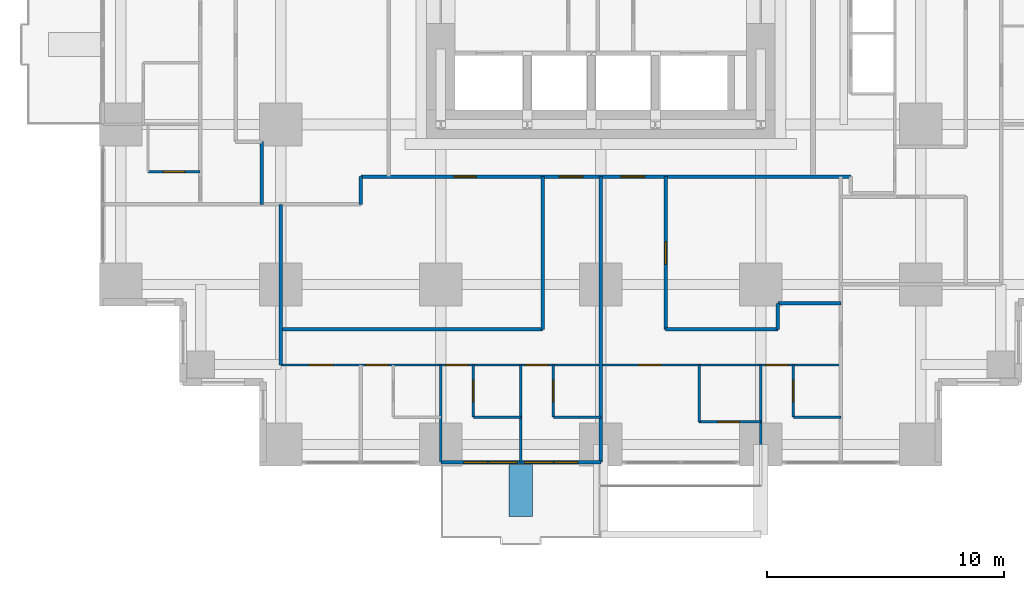
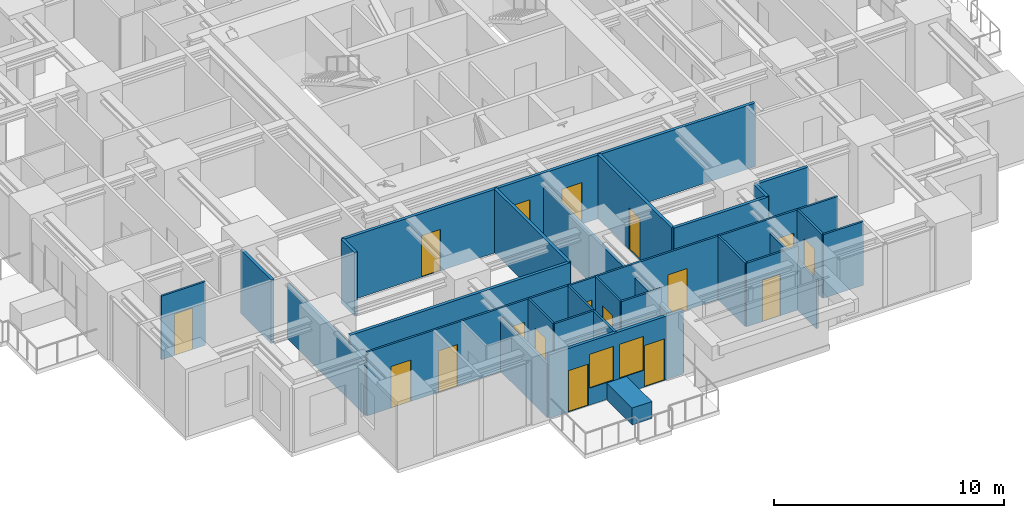
# One storey, part 7 of 13: 26 walls, 17 doors, 2 windows, 19 openings.
"""IFC4 building model written with IfcOpenShell, lengths in metres."""

from ifc_helpers import new_model, si_unit, direction, frame, frame_2d, origin, place, context, subcontext, project, spatial, rectangle, extrude, material, layer, layer_set, type_object, element, fill, save


model = new_model("IFC4")

# Units and contexts
model_context = context("Model", 3, precision=1e-05, world=origin(), true_north=direction((0.0, 1.0)))
body_context = subcontext(model_context, "Body", "Model", "MODEL_VIEW")
ifc_project = project(units=[si_unit("LENGTHUNIT", "METRE"), si_unit("AREAUNIT", "SQUARE_METRE"), si_unit("VOLUMEUNIT", "CUBIC_METRE"), si_unit("PLANEANGLEUNIT", "RADIAN"), si_unit("MASSUNIT", "GRAM", prefix="KILO")], contexts=[model_context])

# Site, building, storey
site_placement = place(None, origin())
site = spatial("IfcSite", under=ifc_project, at=site_placement, CompositionType="ELEMENT")
building_placement = place(site_placement, origin())
building = spatial("IfcBuilding", under=site, at=building_placement, Name="Nyansa Garden Tower", CompositionType="ELEMENT")
storey_placement = place(building_placement, frame((0.0, 0.0, 87.300048828125)))
storey = spatial("IfcBuildingStorey", under=building, at=storey_placement, Name="L23", CompositionType="ELEMENT", Elevation=87.300048828125)

# Wall, openings, doors, windows
ifc_material_1 = material(Name="Black aluminium framed glazed screen", Category="aluminium")
ifc_layer_1 = layer(ifc_material_1, 0.14990234375)
ifc_layer_set_1 = layer_set([ifc_layer_1], Name="Balcony screen wall BW150")
wall_type_1 = type_object("IfcWallType", Name="Balcony screen wall BW150", PredefinedType="SOLIDWALL", material=ifc_layer_set_1)
wall_1_placement = place(storey_placement, frame((20.25, -0.75, 0.0), z_axis=(0.0, 0.0, 1.0), x_axis=(-1.0, 0.0, 0.0)))
wall_1 = element("IfcWall", 1, at=wall_1_placement, inside=storey, type_object=wall_type_1, Name="Glazed screen wall L23 S", PredefinedType="SOLIDWALL", context=body_context, shape_type="SweptSolid", body=[
    extrude(rectangle(XDim=6.75, YDim=0.14990234375, at=frame_2d((3.375, 0.0))), origin(), (0.0, 0.0, 1.0), 3.375),
])
opening_1_placement = place(wall_1_placement, frame((0.96240234375, 0.0, 0.0)))
opening_1 = element("IfcOpeningElement", 2, at=opening_1_placement, cuts=wall_1, Name="Opening D20", PredefinedType="OPENING", context=body_context, shape_type="SweptSolid", body=[
    extrude(rectangle(XDim=1.0, YDim=2.199951171875, at=frame_2d((0.5, 1.10009765625))), frame((0.0, 0.0849609375, 0.0), z_axis=(0.0, -1.0, 0.0), x_axis=(1.0, 0.0, 0.0)), (0.0, 0.0, 1.0), 0.169921875),
])
opening_2_placement = place(wall_1_placement, frame((2.02490234375, 0.0, 0.89990234375)))
opening_2 = element("IfcOpeningElement", 3, at=opening_2_placement, cuts=wall_1, Name="Opening W6", PredefinedType="OPENING", context=body_context, shape_type="SweptSolid", body=[
    extrude(rectangle(XDim=1.199951171875, YDim=1.800048828125, at=frame_2d((0.60009765625, 0.89990234375))), frame((0.0, 0.0849609375, 0.0), z_axis=(0.0, -1.0, 0.0), x_axis=(1.0, 0.0, 0.0)), (0.0, 0.0, 1.0), 0.169921875),
])
opening_3_placement = place(wall_1_placement, frame((4.78759765625, 0.0, 0.0)))
opening_3 = element("IfcOpeningElement", 4, at=opening_3_placement, cuts=wall_1, Name="Opening D20", PredefinedType="OPENING", context=body_context, shape_type="SweptSolid", body=[
    extrude(rectangle(XDim=1.0, YDim=2.199951171875, at=frame_2d((0.5, 1.10009765625))), frame((0.0, 0.0849609375, 0.0), z_axis=(0.0, -1.0, 0.0), x_axis=(1.0, 0.0, 0.0)), (0.0, 0.0, 1.0), 0.169921875),
])
opening_4_placement = place(wall_1_placement, frame((3.52490234375, 0.0, 0.89990234375)))
opening_4 = element("IfcOpeningElement", 5, at=opening_4_placement, cuts=wall_1, Name="Opening W6", PredefinedType="OPENING", context=body_context, shape_type="SweptSolid", body=[
    extrude(rectangle(XDim=1.199951171875, YDim=1.800048828125, at=frame_2d((0.60009765625, 0.89990234375))), frame((0.0, 0.0849609375, 0.0), z_axis=(0.0, -1.0, 0.0), x_axis=(1.0, 0.0, 0.0)), (0.0, 0.0, 1.0), 0.169921875),
])
ifc_material_2 = material(Name="Black aluminium framed glazed door", Category="aluminium")
door_type_1 = type_object("IfcDoorType", Name="Balcony door D20 1000x2200", OperationType="NOTDEFINED", PredefinedType="DOOR", material=ifc_material_2)
door_1_placement = place(opening_1_placement, origin())
door_1 = element("IfcDoor", 6, at=door_1_placement, inside=storey, type_object=door_type_1, Name="Balcony door L23", OperationType="SINGLE_SWING_LEFT", OverallHeight=2.199951171875, OverallWidth=1.0, PredefinedType="DOOR", context=body_context, shape_type="SweptSolid", body=[
    extrude(rectangle(XDim=1.0, YDim=2.199951171875, at=frame_2d((0.5, 1.10009765625))), frame((0.0, 0.02490234375, 0.0), z_axis=(0.0, -1.0, 0.0), x_axis=(1.0, 0.0, 0.0)), (0.0, 0.0, 1.0), 0.050048828125),
])
fill(opening_1, door_1)
door_2_placement = place(opening_3_placement, origin())
door_2 = element("IfcDoor", 7, at=door_2_placement, inside=storey, type_object=door_type_1, Name="Balcony door L23", OperationType="SINGLE_SWING_RIGHT", OverallHeight=2.199951171875, OverallWidth=1.0, PredefinedType="DOOR", context=body_context, shape_type="SweptSolid", body=[
    extrude(rectangle(XDim=1.0, YDim=2.199951171875, at=frame_2d((0.5, 1.10009765625))), frame((0.0, 0.02490234375, 0.0), z_axis=(0.0, -1.0, 0.0), x_axis=(1.0, 0.0, 0.0)), (0.0, 0.0, 1.0), 0.050048828125),
])
fill(opening_3, door_2)
ifc_material_3 = material(Name="Black aluminium frame, dark tinted double glazing", Category="aluminium")
window_type = type_object("IfcWindowType", Name="Balcony window W6 1200x1800", PartitioningType="SINGLE_PANEL", PredefinedType="WINDOW", material=ifc_material_3)
window_1_placement = place(opening_2_placement, origin())
window_1 = element("IfcWindow", 8, at=window_1_placement, inside=storey, type_object=window_type, Name="Window L23", OverallHeight=1.800048828125, OverallWidth=1.199951171875, PartitioningType="SINGLE_PANEL", PredefinedType="WINDOW", context=body_context, shape_type="SweptSolid", body=[
    extrude(rectangle(XDim=1.199951171875, YDim=1.800048828125, at=frame_2d((0.60009765625, 0.89990234375))), frame((0.0, 0.030029296875, 0.0), z_axis=(0.0, -1.0, 0.0), x_axis=(1.0, 0.0, 0.0)), (0.0, 0.0, 1.0), 0.06005859375),
])
fill(opening_2, window_1)
window_2_placement = place(opening_4_placement, origin())
window_2 = element("IfcWindow", 9, at=window_2_placement, inside=storey, type_object=window_type, Name="Window L23", OverallHeight=1.800048828125, OverallWidth=1.199951171875, PartitioningType="SINGLE_PANEL", PredefinedType="WINDOW", context=body_context, shape_type="SweptSolid", body=[
    extrude(rectangle(XDim=1.199951171875, YDim=1.800048828125, at=frame_2d((0.60009765625, 0.89990234375))), frame((0.0, 0.030029296875, 0.0), z_axis=(0.0, -1.0, 0.0), x_axis=(1.0, 0.0, 0.0)), (0.0, 0.0, 1.0), 0.06005859375),
])
fill(opening_4, window_2)

# Walls
ifc_material_4 = material(Name="Blockwork, plastered both sides", Category="masonry")
ifc_layer_2 = layer(ifc_material_4, 0.14990234375)
ifc_layer_set_2 = layer_set([ifc_layer_2], Name="Partition PW150")
wall_type_2 = type_object("IfcWallType", Name="Partition PW150", PredefinedType="PARTITIONING", material=ifc_layer_set_2)
wall_2_placement = place(storey_placement, frame((5.949951171875, 10.125, 0.0), z_axis=(0.0, 0.0, 1.0), x_axis=(0.0, 1.0, 0.0)))
element("IfcWall", 10, at=wall_2_placement, inside=storey, type_object=wall_type_2, Name="Partition", PredefinedType="PARTITIONING", context=body_context, shape_type="SweptSolid", body=[
    extrude(rectangle(XDim=2.64990234375, YDim=0.14990234375, at=frame_2d((1.324951171875, 0.0))), origin(), (0.0, 0.0, 1.0), 3.375),
])
wall_3_placement = place(storey_placement, frame((6.75, 3.35009765625, 0.0), z_axis=(0.0, 0.0, 1.0), x_axis=(0.0, 1.0, 0.0)))
element("IfcWall", 11, at=wall_3_placement, inside=storey, type_object=wall_type_2, Name="Partition", PredefinedType="PARTITIONING", context=body_context, shape_type="SweptSolid", body=[
    extrude(rectangle(XDim=6.77490234375, YDim=0.14990234375, at=frame_2d((3.387451171875, 0.0))), origin(), (0.0, 0.0, 1.0), 2.876953125),
])
wall_4_placement = place(storey_placement, frame((6.75, 4.85009765625, 0.0), z_axis=(0.0, 0.0, 1.0), x_axis=(1.0, 0.0, 0.0)))
element("IfcWall", 12, at=wall_4_placement, inside=storey, type_object=wall_type_2, Name="Partition", PredefinedType="PARTITIONING", context=body_context, shape_type="SweptSolid", body=[
    extrude(rectangle(XDim=11.050048828125, YDim=0.14990234375, at=frame_2d((5.52490234375, 0.0))), origin(), (0.0, 0.0, 1.0), 3.375),
])
wall_5_placement = place(storey_placement, frame((10.125, 10.125, 0.0), z_axis=(0.0, 0.0, 1.0), x_axis=(0.0, 1.0, 0.0)))
element("IfcWall", 13, at=wall_5_placement, inside=storey, type_object=wall_type_2, Name="Partition", PredefinedType="PARTITIONING", context=body_context, shape_type="SweptSolid", body=[
    extrude(rectangle(XDim=1.175048828125, YDim=0.14990234375, at=frame_2d((0.58740234375, 0.0))), origin(), (0.0, 0.0, 1.0), 3.375),
])

# Wall, openings, doors
wall_6_placement = place(storey_placement, frame((10.125, 11.300048828125, 0.0), z_axis=(0.0, 0.0, 1.0), x_axis=(1.0, 0.0, 0.0)))
wall_6 = element("IfcWall", 14, at=wall_6_placement, inside=storey, type_object=wall_type_2, Name="Partition", PredefinedType="PARTITIONING", context=body_context, shape_type="SweptSolid", body=[
    extrude(rectangle(XDim=20.675048828125, YDim=0.14990234375, at=frame_2d((10.33740234375, 0.0))), origin(), (0.0, 0.0, 1.0), 3.375),
])
opening_5_placement = place(wall_6_placement, frame((8.375, 0.0, 0.0)))
opening_5 = element("IfcOpeningElement", 15, at=opening_5_placement, cuts=wall_6, Name="Opening D03", PredefinedType="OPENING", context=body_context, shape_type="SweptSolid", body=[
    extrude(rectangle(XDim=1.0, YDim=2.199951171875, at=frame_2d((0.5, 1.10009765625))), frame((0.0, 0.0849609375, 0.0), z_axis=(0.0, -1.0, 0.0), x_axis=(1.0, 0.0, 0.0)), (0.0, 0.0, 1.0), 0.169921875),
])
opening_6_placement = place(wall_6_placement, frame((10.97509765625, 0.0, 0.0)))
opening_6 = element("IfcOpeningElement", 16, at=opening_6_placement, cuts=wall_6, Name="Opening D03", PredefinedType="OPENING", context=body_context, shape_type="SweptSolid", body=[
    extrude(rectangle(XDim=1.0, YDim=2.199951171875, at=frame_2d((0.5, 1.10009765625))), frame((0.0, 0.0849609375, 0.0), z_axis=(0.0, -1.0, 0.0), x_axis=(1.0, 0.0, 0.0)), (0.0, 0.0, 1.0), 0.169921875),
])
opening_7_placement = place(wall_6_placement, frame((3.925048828125, 0.0, 0.0)))
opening_7 = element("IfcOpeningElement", 17, at=opening_7_placement, cuts=wall_6, Name="Opening D01", PredefinedType="OPENING", context=body_context, shape_type="SweptSolid", body=[
    extrude(rectangle(XDim=0.949951171875, YDim=2.199951171875, at=frame_2d((0.47509765625, 1.10009765625))), frame((0.0, 0.0849609375, 0.0), z_axis=(0.0, -1.0, 0.0), x_axis=(1.0, 0.0, 0.0)), (0.0, 0.0, 1.0), 0.169921875),
])
ifc_material_5 = material(Name="Timber flush door, 30 minute fire resisting", Category="wood")
door_type_2 = type_object("IfcDoorType", Name="Bedroom door D01 950x2200", OperationType="SINGLE_SWING_LEFT", PredefinedType="DOOR", material=ifc_material_5)
door_3_placement = place(opening_7_placement, origin())
door_3 = element("IfcDoor", 18, at=door_3_placement, inside=storey, type_object=door_type_2, Name="Door L23-030", OperationType="SINGLE_SWING_LEFT", OverallHeight=2.199951171875, OverallWidth=0.949951171875, PredefinedType="DOOR", context=body_context, shape_type="SweptSolid", body=[
    extrude(rectangle(XDim=0.949951171875, YDim=2.199951171875, at=frame_2d((0.47509765625, 1.10009765625))), frame((0.0, 0.02490234375, 0.0), z_axis=(0.0, -1.0, 0.0), x_axis=(1.0, 0.0, 0.0)), (0.0, 0.0, 1.0), 0.050048828125),
])
fill(opening_7, door_3)
ifc_material_6 = material(Name="Timber flush door, 60 minute fire resisting", Category="wood")
door_type_3 = type_object("IfcDoorType", Name="Cluster entrance door D03 1000x2200", OperationType="SINGLE_SWING_LEFT", PredefinedType="DOOR", material=ifc_material_6)
door_4_placement = place(opening_5_placement, origin())
door_4 = element("IfcDoor", 19, at=door_4_placement, inside=storey, type_object=door_type_3, Name="Door L23-024", OperationType="SINGLE_SWING_LEFT", OverallHeight=2.199951171875, OverallWidth=1.0, PredefinedType="DOOR", context=body_context, shape_type="SweptSolid", body=[
    extrude(rectangle(XDim=1.0, YDim=2.199951171875, at=frame_2d((0.5, 1.10009765625))), frame((0.0, 0.02490234375, 0.0), z_axis=(0.0, -1.0, 0.0), x_axis=(1.0, 0.0, 0.0)), (0.0, 0.0, 1.0), 0.050048828125),
])
fill(opening_5, door_4)
door_5_placement = place(opening_6_placement, origin())
door_5 = element("IfcDoor", 20, at=door_5_placement, inside=storey, type_object=door_type_3, Name="Door L23-029", OperationType="SINGLE_SWING_LEFT", OverallHeight=2.199951171875, OverallWidth=1.0, PredefinedType="DOOR", context=body_context, shape_type="SweptSolid", body=[
    extrude(rectangle(XDim=1.0, YDim=2.199951171875, at=frame_2d((0.5, 1.10009765625))), frame((0.0, 0.02490234375, 0.0), z_axis=(0.0, -1.0, 0.0), x_axis=(1.0, 0.0, 0.0)), (0.0, 0.0, 1.0), 0.050048828125),
])
fill(opening_6, door_5)

# Walls
wall_7_placement = place(storey_placement, frame((17.800048828125, 4.85009765625, 0.0), z_axis=(0.0, 0.0, 1.0), x_axis=(0.0, 1.0, 0.0)))
element("IfcWall", 21, at=wall_7_placement, inside=storey, type_object=wall_type_2, Name="Partition", PredefinedType="PARTITIONING", context=body_context, shape_type="SweptSolid", body=[
    extrude(rectangle(XDim=6.449951171875, YDim=0.14990234375, at=frame_2d((3.22509765625, 0.0))), origin(), (0.0, 0.0, 1.0), 3.375),
])
wall_8_placement = place(storey_placement, frame((20.25, -0.73388671875, 0.0), z_axis=(0.0, 0.0, 1.0), x_axis=(0.0, 1.0, 0.0)))
element("IfcWall", 22, at=wall_8_placement, inside=storey, type_object=wall_type_2, Name="Partition", PredefinedType="PARTITIONING", context=body_context, shape_type="SweptSolid", body=[
    extrude(rectangle(XDim=12.033935546875, YDim=0.14990234375, at=frame_2d((6.01708984375, 0.0))), origin(), (0.0, 0.0, 1.0), 2.60986328125),
])
wall_9_placement = place(storey_placement, frame((22.987548828125, 4.85009765625, 0.0), z_axis=(0.0, 0.0, 1.0), x_axis=(1.0, 0.0, 0.0)))
element("IfcWall", 23, at=wall_9_placement, inside=storey, type_object=wall_type_2, Name="Partition", PredefinedType="PARTITIONING", context=body_context, shape_type="SweptSolid", body=[
    extrude(rectangle(XDim=4.737548828125, YDim=0.14990234375, at=frame_2d((2.36865234375, 0.0))), origin(), (0.0, 0.0, 1.0), 3.375),
])

# Wall, opening, door
wall_10_placement = place(storey_placement, frame((22.988037109375, 4.85009765625, 0.0), z_axis=(0.0, 0.0, 1.0), x_axis=(0.0, 1.0, 0.0)))
wall_10 = element("IfcWall", 24, at=wall_10_placement, inside=storey, type_object=wall_type_2, Name="Partition", PredefinedType="PARTITIONING", context=body_context, shape_type="SweptSolid", body=[
    extrude(rectangle(XDim=6.449951171875, YDim=0.14990234375, at=frame_2d((3.22509765625, 0.0))), origin(), (0.0, 0.0, 1.0), 3.375),
])
opening_8_placement = place(wall_10_placement, frame((2.75, 0.0, 0.0)))
opening_8 = element("IfcOpeningElement", 25, at=opening_8_placement, cuts=wall_10, Name="Opening D01", PredefinedType="OPENING", context=body_context, shape_type="SweptSolid", body=[
    extrude(rectangle(XDim=0.949951171875, YDim=2.199951171875, at=frame_2d((0.47509765625, 1.10009765625))), frame((0.0, 0.0849609375, 0.0), z_axis=(0.0, -1.0, 0.0), x_axis=(1.0, 0.0, 0.0)), (0.0, 0.0, 1.0), 0.169921875),
])
door_6_placement = place(opening_8_placement, origin())
door_6 = element("IfcDoor", 26, at=door_6_placement, inside=storey, type_object=door_type_2, Name="Door L23-031", OperationType="SINGLE_SWING_LEFT", OverallHeight=2.199951171875, OverallWidth=0.949951171875, PredefinedType="DOOR", context=body_context, shape_type="SweptSolid", body=[
    extrude(rectangle(XDim=0.949951171875, YDim=2.199951171875, at=frame_2d((0.47509765625, 1.10009765625))), frame((0.0, 0.02490234375, 0.0), z_axis=(0.0, -1.0, 0.0), x_axis=(1.0, 0.0, 0.0)), (0.0, 0.0, 1.0), 0.050048828125),
])
fill(opening_8, door_6)

# Walls
wall_11_placement = place(storey_placement, frame((27.72509765625, 4.85009765625, 0.0), z_axis=(0.0, 0.0, 1.0), x_axis=(0.0, 1.0, 0.0)))
element("IfcWall", 27, at=wall_11_placement, inside=storey, type_object=wall_type_2, Name="Partition", PredefinedType="PARTITIONING", context=body_context, shape_type="SweptSolid", body=[
    extrude(rectangle(XDim=1.099853515625, YDim=0.14990234375, at=frame_2d((0.5498046875, 0.0))), origin(), (0.0, 0.0, 1.0), 3.375),
])
wall_12_placement = place(storey_placement, frame((27.72509765625, 5.949951171875, 0.0), z_axis=(0.0, 0.0, 1.0), x_axis=(1.0, 0.0, 0.0)))
element("IfcWall", 28, at=wall_12_placement, inside=storey, type_object=wall_type_2, Name="Partition", PredefinedType="PARTITIONING", context=body_context, shape_type="SweptSolid", body=[
    extrude(rectangle(XDim=2.64990234375, YDim=0.14990234375, at=frame_2d((1.324951171875, 0.0))), origin(), (0.0, 0.0, 1.0), 3.375),
])
ifc_material_7 = material(Name="Concrete C40/50 planter, waterproofed", Category="concrete")
ifc_layer_3 = layer(ifc_material_7, 1.0)
ifc_layer_set_3 = layer_set([ifc_layer_3], Name="Tree planter TP1")
wall_type_3 = type_object("IfcWallType", Name="Tree planter TP1", PredefinedType="USERDEFINED", material=ifc_layer_set_3)
wall_13_placement = place(storey_placement, frame((16.875, -0.85009765625, 0.0), z_axis=(0.0, 0.0, 1.0), x_axis=(0.0, -1.0, 0.0)))
element("IfcWall", 29, at=wall_13_placement, inside=storey, type_object=wall_type_3, Name="Tree planter L23", ObjectType="TREE PLANTER", PredefinedType="USERDEFINED", context=body_context, shape_type="SweptSolid", body=[
    extrude(rectangle(XDim=2.199951171875, YDim=1.0, at=frame_2d((1.10009765625, 0.0))), origin(), (0.0, 0.0, 1.0), 0.89990234375),
])

# Wall, opening, door
ifc_material_8 = material(Name="Moisture resistant board on steel studs, tiled", Category="steel")
ifc_layer_4 = layer(ifc_material_8, 0.10009765625)
ifc_layer_set_4 = layer_set([ifc_layer_4], Name="Wet wall PW100")
wall_type_4 = type_object("IfcWallType", Name="Wet wall PW100", PredefinedType="PARTITIONING", material=ifc_layer_set_4)
wall_14_placement = place(storey_placement, frame((1.14990234375, 11.5, 0.0), z_axis=(0.0, 0.0, 1.0), x_axis=(1.0, 0.0, 0.0)))
wall_14 = element("IfcWall", 30, at=wall_14_placement, inside=storey, type_object=wall_type_4, Name="Wet wall", PredefinedType="PARTITIONING", context=body_context, shape_type="SweptSolid", body=[
    extrude(rectangle(XDim=2.2001953125, YDim=0.10009765625, at=frame_2d((1.10009765625, 0.0))), origin(), (0.0, 0.0, 1.0), 3.375),
])
opening_9_placement = place(wall_14_placement, frame((0.64990234375, 0.0, 0.0)))
opening_9 = element("IfcOpeningElement", 31, at=opening_9_placement, cuts=wall_14, Name="Opening D02", PredefinedType="OPENING", context=body_context, shape_type="SweptSolid", body=[
    extrude(rectangle(XDim=0.89990234375, YDim=2.199951171875, at=frame_2d((0.449951171875, 1.10009765625))), frame((0.0, 0.06005859375, 0.0), z_axis=(0.0, -1.0, 0.0), x_axis=(1.0, 0.0, 0.0)), (0.0, 0.0, 1.0), 0.1201171875),
])
ifc_material_9 = material(Name="Timber flush door", Category="wood")
door_type_4 = type_object("IfcDoorType", Name="En-suite door D02 900x2200", OperationType="SINGLE_SWING_RIGHT", PredefinedType="DOOR", material=ifc_material_9)
door_7_placement = place(opening_9_placement, origin())
door_7 = element("IfcDoor", 32, at=door_7_placement, inside=storey, type_object=door_type_4, Name="Door L23-058", OperationType="SINGLE_SWING_RIGHT", OverallHeight=2.199951171875, OverallWidth=0.89990234375, PredefinedType="DOOR", context=body_context, shape_type="SweptSolid", body=[
    extrude(rectangle(XDim=0.89990234375, YDim=2.199951171875, at=frame_2d((0.449951171875, 1.10009765625))), frame((0.0, 0.02490234375, 0.0), z_axis=(0.0, -1.0, 0.0), x_axis=(1.0, 0.0, 0.0)), (0.0, 0.0, 1.0), 0.050048828125),
])
fill(opening_9, door_7)

# Wall, openings, doors
wall_15_placement = place(storey_placement, frame((6.75, 3.35009765625, 0.0), z_axis=(0.0, 0.0, 1.0), x_axis=(1.0, 0.0, 0.0)))
wall_15 = element("IfcWall", 33, at=wall_15_placement, inside=storey, type_object=wall_type_4, Name="Wet wall", PredefinedType="PARTITIONING", context=body_context, shape_type="SweptSolid", body=[
    extrude(rectangle(XDim=23.625, YDim=0.10009765625, at=frame_2d((11.8125, 0.0))), origin(), (0.0, 0.0, 1.0), 3.375),
])
opening_10_placement = place(wall_15_placement, frame((1.199951171875, 0.0, 0.0)))
opening_10 = element("IfcOpeningElement", 34, at=opening_10_placement, cuts=wall_15, Name="Opening D03", PredefinedType="OPENING", context=body_context, shape_type="SweptSolid", body=[
    extrude(rectangle(XDim=1.0, YDim=2.199951171875, at=frame_2d((0.5, 1.10009765625))), frame((0.0, 0.06005859375, 0.0), z_axis=(0.0, -1.0, 0.0), x_axis=(1.0, 0.0, 0.0)), (0.0, 0.0, 1.0), 0.1201171875),
])
opening_11_placement = place(wall_15_placement, frame((3.574951171875, 0.0, 0.0)))
opening_11 = element("IfcOpeningElement", 35, at=opening_11_placement, cuts=wall_15, Name="Opening D01", PredefinedType="OPENING", context=body_context, shape_type="SweptSolid", body=[
    extrude(rectangle(XDim=0.949951171875, YDim=2.199951171875, at=frame_2d((0.47509765625, 1.10009765625))), frame((0.0, 0.06005859375, 0.0), z_axis=(0.0, -1.0, 0.0), x_axis=(1.0, 0.0, 0.0)), (0.0, 0.0, 1.0), 0.1201171875),
])
opening_12_placement = place(wall_15_placement, frame((6.949951171875, 0.0, 0.0)))
opening_12 = element("IfcOpeningElement", 36, at=opening_12_placement, cuts=wall_15, Name="Opening D01", PredefinedType="OPENING", context=body_context, shape_type="SweptSolid", body=[
    extrude(rectangle(XDim=0.949951171875, YDim=2.199951171875, at=frame_2d((0.47509765625, 1.10009765625))), frame((0.0, 0.06005859375, 0.0), z_axis=(0.0, -1.0, 0.0), x_axis=(1.0, 0.0, 0.0)), (0.0, 0.0, 1.0), 0.1201171875),
])
opening_13_placement = place(wall_15_placement, frame((10.324951171875, 0.0, 0.0)))
opening_13 = element("IfcOpeningElement", 37, at=opening_13_placement, cuts=wall_15, Name="Opening D01", PredefinedType="OPENING", context=body_context, shape_type="SweptSolid", body=[
    extrude(rectangle(XDim=0.949951171875, YDim=2.199951171875, at=frame_2d((0.47509765625, 1.10009765625))), frame((0.0, 0.06005859375, 0.0), z_axis=(0.0, -1.0, 0.0), x_axis=(1.0, 0.0, 0.0)), (0.0, 0.0, 1.0), 0.1201171875),
])
opening_14_placement = place(wall_15_placement, frame((15.10009765625, 0.0, 0.0)))
opening_14 = element("IfcOpeningElement", 38, at=opening_14_placement, cuts=wall_15, Name="Opening D14", PredefinedType="OPENING", context=body_context, shape_type="SweptSolid", body=[
    extrude(rectangle(XDim=0.949951171875, YDim=2.199951171875, at=frame_2d((0.47509765625, 1.10009765625))), frame((0.0, 0.06005859375, 0.0), z_axis=(0.0, -1.0, 0.0), x_axis=(1.0, 0.0, 0.0)), (0.0, 0.0, 1.0), 0.1201171875),
])
opening_15_placement = place(wall_15_placement, frame((20.449951171875, 0.0, 0.0)))
opening_15 = element("IfcOpeningElement", 39, at=opening_15_placement, cuts=wall_15, Name="Opening D14", PredefinedType="OPENING", context=body_context, shape_type="SweptSolid", body=[
    extrude(rectangle(XDim=0.949951171875, YDim=2.199951171875, at=frame_2d((0.47509765625, 1.10009765625))), frame((0.0, 0.06005859375, 0.0), z_axis=(0.0, -1.0, 0.0), x_axis=(1.0, 0.0, 0.0)), (0.0, 0.0, 1.0), 0.1201171875),
])
door_8_placement = place(opening_11_placement, origin())
door_8 = element("IfcDoor", 40, at=door_8_placement, inside=storey, type_object=door_type_2, Name="Door L23-018", OperationType="SINGLE_SWING_LEFT", OverallHeight=2.199951171875, OverallWidth=0.949951171875, PredefinedType="DOOR", context=body_context, shape_type="SweptSolid", body=[
    extrude(rectangle(XDim=0.949951171875, YDim=2.199951171875, at=frame_2d((0.47509765625, 1.10009765625))), frame((0.0, 0.02490234375, 0.0), z_axis=(0.0, -1.0, 0.0), x_axis=(1.0, 0.0, 0.0)), (0.0, 0.0, 1.0), 0.050048828125),
])
fill(opening_11, door_8)
door_9_placement = place(opening_12_placement, origin())
door_9 = element("IfcDoor", 41, at=door_9_placement, inside=storey, type_object=door_type_2, Name="Door L23-020", OperationType="SINGLE_SWING_LEFT", OverallHeight=2.199951171875, OverallWidth=0.949951171875, PredefinedType="DOOR", context=body_context, shape_type="SweptSolid", body=[
    extrude(rectangle(XDim=0.949951171875, YDim=2.199951171875, at=frame_2d((0.47509765625, 1.10009765625))), frame((0.0, 0.02490234375, 0.0), z_axis=(0.0, -1.0, 0.0), x_axis=(1.0, 0.0, 0.0)), (0.0, 0.0, 1.0), 0.050048828125),
])
fill(opening_12, door_9)
door_10_placement = place(opening_13_placement, origin())
door_10 = element("IfcDoor", 42, at=door_10_placement, inside=storey, type_object=door_type_2, Name="Door L23-022", OperationType="SINGLE_SWING_LEFT", OverallHeight=2.199951171875, OverallWidth=0.949951171875, PredefinedType="DOOR", context=body_context, shape_type="SweptSolid", body=[
    extrude(rectangle(XDim=0.949951171875, YDim=2.199951171875, at=frame_2d((0.47509765625, 1.10009765625))), frame((0.0, 0.02490234375, 0.0), z_axis=(0.0, -1.0, 0.0), x_axis=(1.0, 0.0, 0.0)), (0.0, 0.0, 1.0), 0.050048828125),
])
fill(opening_13, door_10)
door_11_placement = place(opening_10_placement, origin())
door_11 = element("IfcDoor", 43, at=door_11_placement, inside=storey, type_object=door_type_3, Name="Door L23-017", OperationType="SINGLE_SWING_LEFT", OverallHeight=2.199951171875, OverallWidth=1.0, PredefinedType="DOOR", context=body_context, shape_type="SweptSolid", body=[
    extrude(rectangle(XDim=1.0, YDim=2.199951171875, at=frame_2d((0.5, 1.10009765625))), frame((0.0, 0.02490234375, 0.0), z_axis=(0.0, -1.0, 0.0), x_axis=(1.0, 0.0, 0.0)), (0.0, 0.0, 1.0), 0.050048828125),
])
fill(opening_10, door_11)
ifc_material_10 = material(Name="Timber flush door, 60 minute fire resisting, self-closing", Category="wood")
door_type_5 = type_object("IfcDoorType", Name="Studio entrance door D14 950x2200", OperationType="SINGLE_SWING_LEFT", PredefinedType="DOOR", material=ifc_material_10)
door_12_placement = place(opening_14_placement, origin())
door_12 = element("IfcDoor", 44, at=door_12_placement, inside=storey, type_object=door_type_5, Name="Door L23-025", OperationType="SINGLE_SWING_LEFT", OverallHeight=2.199951171875, OverallWidth=0.949951171875, PredefinedType="DOOR", context=body_context, shape_type="SweptSolid", body=[
    extrude(rectangle(XDim=0.949951171875, YDim=2.199951171875, at=frame_2d((0.47509765625, 1.10009765625))), frame((0.0, 0.02490234375, 0.0), z_axis=(0.0, -1.0, 0.0), x_axis=(1.0, 0.0, 0.0)), (0.0, 0.0, 1.0), 0.050048828125),
])
fill(opening_14, door_12)
door_13_placement = place(opening_15_placement, origin())
door_13 = element("IfcDoor", 45, at=door_13_placement, inside=storey, type_object=door_type_5, Name="Door L23-027", OperationType="SINGLE_SWING_LEFT", OverallHeight=2.199951171875, OverallWidth=0.949951171875, PredefinedType="DOOR", context=body_context, shape_type="SweptSolid", body=[
    extrude(rectangle(XDim=0.949951171875, YDim=2.199951171875, at=frame_2d((0.47509765625, 1.10009765625))), frame((0.0, 0.02490234375, 0.0), z_axis=(0.0, -1.0, 0.0), x_axis=(1.0, 0.0, 0.0)), (0.0, 0.0, 1.0), 0.050048828125),
])
fill(opening_15, door_13)

# Wall
wall_16_placement = place(storey_placement, frame((13.5, -0.73388671875, 0.0), z_axis=(0.0, 0.0, 1.0), x_axis=(0.0, 1.0, 0.0)))
element("IfcWall", 46, at=wall_16_placement, inside=storey, type_object=wall_type_4, Name="Wet wall", PredefinedType="PARTITIONING", context=body_context, shape_type="SweptSolid", body=[
    extrude(rectangle(XDim=4.083984375, YDim=0.10009765625, at=frame_2d((2.0419921875, 0.0))), origin(), (0.0, 0.0, 1.0), 2.876953125),
])

# Wall, opening, door
wall_17_placement = place(storey_placement, frame((14.875, 1.14990234375, 0.0), z_axis=(0.0, 0.0, 1.0), x_axis=(0.0, 1.0, 0.0)))
wall_17 = element("IfcWall", 47, at=wall_17_placement, inside=storey, type_object=wall_type_4, Name="Wet wall", PredefinedType="PARTITIONING", context=body_context, shape_type="SweptSolid", body=[
    extrude(rectangle(XDim=2.2001953125, YDim=0.10009765625, at=frame_2d((1.10009765625, 0.0))), origin(), (0.0, 0.0, 1.0), 3.375),
])
opening_16_placement = place(wall_17_placement, frame((0.64990234375, 0.0, 0.0)))
opening_16 = element("IfcOpeningElement", 48, at=opening_16_placement, cuts=wall_17, Name="Opening D02", PredefinedType="OPENING", context=body_context, shape_type="SweptSolid", body=[
    extrude(rectangle(XDim=0.89990234375, YDim=2.199951171875, at=frame_2d((0.449951171875, 1.10009765625))), frame((0.0, 0.06005859375, 0.0), z_axis=(0.0, -1.0, 0.0), x_axis=(1.0, 0.0, 0.0)), (0.0, 0.0, 1.0), 0.1201171875),
])
door_14_placement = place(opening_16_placement, origin())
door_14 = element("IfcDoor", 49, at=door_14_placement, inside=storey, type_object=door_type_4, Name="Door L23-021", OperationType="SINGLE_SWING_RIGHT", OverallHeight=2.199951171875, OverallWidth=0.89990234375, PredefinedType="DOOR", context=body_context, shape_type="SweptSolid", body=[
    extrude(rectangle(XDim=0.89990234375, YDim=2.199951171875, at=frame_2d((0.449951171875, 1.10009765625))), frame((0.0, 0.02490234375, 0.0), z_axis=(0.0, -1.0, 0.0), x_axis=(1.0, 0.0, 0.0)), (0.0, 0.0, 1.0), 0.050048828125),
])
fill(opening_16, door_14)

# Walls
wall_18_placement = place(storey_placement, frame((14.875, 1.14990234375, 0.0), z_axis=(0.0, 0.0, 1.0), x_axis=(1.0, 0.0, 0.0)))
element("IfcWall", 50, at=wall_18_placement, inside=storey, type_object=wall_type_4, Name="Wet wall", PredefinedType="PARTITIONING", context=body_context, shape_type="SweptSolid", body=[
    extrude(rectangle(XDim=2.0, YDim=0.10009765625, at=frame_2d((1.0, 0.0))), origin(), (0.0, 0.0, 1.0), 3.375),
])
wall_19_placement = place(storey_placement, frame((16.875, -0.73388671875, 0.0), z_axis=(0.0, 0.0, 1.0), x_axis=(0.0, 1.0, 0.0)))
element("IfcWall", 51, at=wall_19_placement, inside=storey, type_object=wall_type_4, Name="Wet wall", PredefinedType="PARTITIONING", context=body_context, shape_type="SweptSolid", body=[
    extrude(rectangle(XDim=4.083984375, YDim=0.10009765625, at=frame_2d((2.0419921875, 0.0))), origin(), (0.0, 0.0, 1.0), 3.375),
])

# Wall, opening, door
wall_20_placement = place(storey_placement, frame((18.25, 1.14990234375, 0.0), z_axis=(0.0, 0.0, 1.0), x_axis=(0.0, 1.0, 0.0)))
wall_20 = element("IfcWall", 52, at=wall_20_placement, inside=storey, type_object=wall_type_4, Name="Wet wall", PredefinedType="PARTITIONING", context=body_context, shape_type="SweptSolid", body=[
    extrude(rectangle(XDim=2.2001953125, YDim=0.10009765625, at=frame_2d((1.10009765625, 0.0))), origin(), (0.0, 0.0, 1.0), 3.375),
])
opening_17_placement = place(wall_20_placement, frame((0.64990234375, 0.0, 0.0)))
opening_17 = element("IfcOpeningElement", 53, at=opening_17_placement, cuts=wall_20, Name="Opening D02", PredefinedType="OPENING", context=body_context, shape_type="SweptSolid", body=[
    extrude(rectangle(XDim=0.89990234375, YDim=2.199951171875, at=frame_2d((0.449951171875, 1.10009765625))), frame((0.0, 0.06005859375, 0.0), z_axis=(0.0, -1.0, 0.0), x_axis=(1.0, 0.0, 0.0)), (0.0, 0.0, 1.0), 0.1201171875),
])
door_15_placement = place(opening_17_placement, origin())
door_15 = element("IfcDoor", 54, at=door_15_placement, inside=storey, type_object=door_type_4, Name="Door L23-023", OperationType="SINGLE_SWING_RIGHT", OverallHeight=2.199951171875, OverallWidth=0.89990234375, PredefinedType="DOOR", context=body_context, shape_type="SweptSolid", body=[
    extrude(rectangle(XDim=0.89990234375, YDim=2.199951171875, at=frame_2d((0.449951171875, 1.10009765625))), frame((0.0, 0.02490234375, 0.0), z_axis=(0.0, -1.0, 0.0), x_axis=(1.0, 0.0, 0.0)), (0.0, 0.0, 1.0), 0.050048828125),
])
fill(opening_17, door_15)

# Walls
wall_21_placement = place(storey_placement, frame((18.25, 1.14990234375, 0.0), z_axis=(0.0, 0.0, 1.0), x_axis=(1.0, 0.0, 0.0)))
element("IfcWall", 55, at=wall_21_placement, inside=storey, type_object=wall_type_4, Name="Wet wall", PredefinedType="PARTITIONING", context=body_context, shape_type="SweptSolid", body=[
    extrude(rectangle(XDim=2.0, YDim=0.10009765625, at=frame_2d((1.0, 0.0))), origin(), (0.0, 0.0, 1.0), 3.375),
])
wall_22_placement = place(storey_placement, frame((24.39990234375, 0.949951171875, 0.0), z_axis=(0.0, 0.0, 1.0), x_axis=(0.0, 1.0, 0.0)))
element("IfcWall", 56, at=wall_22_placement, inside=storey, type_object=wall_type_4, Name="Wet wall", PredefinedType="PARTITIONING", context=body_context, shape_type="SweptSolid", body=[
    extrude(rectangle(XDim=2.400146484375, YDim=0.10009765625, at=frame_2d((1.2001953125, 0.0))), origin(), (0.0, 0.0, 1.0), 3.375),
])

# Wall, opening, door
wall_23_placement = place(storey_placement, frame((24.39990234375, 0.949951171875, 0.0), z_axis=(0.0, 0.0, 1.0), x_axis=(1.0, 0.0, 0.0)))
wall_23 = element("IfcWall", 57, at=wall_23_placement, inside=storey, type_object=wall_type_4, Name="Wet wall", PredefinedType="PARTITIONING", context=body_context, shape_type="SweptSolid", body=[
    extrude(rectangle(XDim=2.60009765625, YDim=0.10009765625, at=frame_2d((1.300048828125, 0.0))), origin(), (0.0, 0.0, 1.0), 3.375),
])
opening_18_placement = place(wall_23_placement, frame((0.800048828125, 0.0, 0.0)))
opening_18 = element("IfcOpeningElement", 58, at=opening_18_placement, cuts=wall_23, Name="Opening D02", PredefinedType="OPENING", context=body_context, shape_type="SweptSolid", body=[
    extrude(rectangle(XDim=0.89990234375, YDim=2.199951171875, at=frame_2d((0.449951171875, 1.10009765625))), frame((0.0, 0.06005859375, 0.0), z_axis=(0.0, -1.0, 0.0), x_axis=(1.0, 0.0, 0.0)), (0.0, 0.0, 1.0), 0.1201171875),
])
door_16_placement = place(opening_18_placement, origin())
door_16 = element("IfcDoor", 59, at=door_16_placement, inside=storey, type_object=door_type_4, Name="Door L23-026", OperationType="SINGLE_SWING_RIGHT", OverallHeight=2.199951171875, OverallWidth=0.89990234375, PredefinedType="DOOR", context=body_context, shape_type="SweptSolid", body=[
    extrude(rectangle(XDim=0.89990234375, YDim=2.199951171875, at=frame_2d((0.449951171875, 1.10009765625))), frame((0.0, 0.02490234375, 0.0), z_axis=(0.0, -1.0, 0.0), x_axis=(1.0, 0.0, 0.0)), (0.0, 0.0, 1.0), 0.050048828125),
])
fill(opening_18, door_16)

# Wall
wall_24_placement = place(storey_placement, frame((27.0, -0.73388671875, 0.0), z_axis=(0.0, 0.0, 1.0), x_axis=(0.0, 1.0, 0.0)))
element("IfcWall", 60, at=wall_24_placement, inside=storey, type_object=wall_type_4, Name="Wet wall", PredefinedType="PARTITIONING", context=body_context, shape_type="SweptSolid", body=[
    extrude(rectangle(XDim=4.083984375, YDim=0.10009765625, at=frame_2d((2.0419921875, 0.0))), origin(), (0.0, 0.0, 1.0), 2.60986328125),
])

# Wall, opening, door
wall_25_placement = place(storey_placement, frame((28.375, 1.14990234375, 0.0), z_axis=(0.0, 0.0, 1.0), x_axis=(0.0, 1.0, 0.0)))
wall_25 = element("IfcWall", 61, at=wall_25_placement, inside=storey, type_object=wall_type_4, Name="Wet wall", PredefinedType="PARTITIONING", context=body_context, shape_type="SweptSolid", body=[
    extrude(rectangle(XDim=2.2001953125, YDim=0.10009765625, at=frame_2d((1.10009765625, 0.0))), origin(), (0.0, 0.0, 1.0), 3.375),
])
opening_19_placement = place(wall_25_placement, frame((0.64990234375, 0.0, 0.0)))
opening_19 = element("IfcOpeningElement", 62, at=opening_19_placement, cuts=wall_25, Name="Opening D02", PredefinedType="OPENING", context=body_context, shape_type="SweptSolid", body=[
    extrude(rectangle(XDim=0.89990234375, YDim=2.199951171875, at=frame_2d((0.449951171875, 1.10009765625))), frame((0.0, 0.06005859375, 0.0), z_axis=(0.0, -1.0, 0.0), x_axis=(1.0, 0.0, 0.0)), (0.0, 0.0, 1.0), 0.1201171875),
])
door_17_placement = place(opening_19_placement, origin())
door_17 = element("IfcDoor", 63, at=door_17_placement, inside=storey, type_object=door_type_4, Name="Door L23-028", OperationType="SINGLE_SWING_RIGHT", OverallHeight=2.199951171875, OverallWidth=0.89990234375, PredefinedType="DOOR", context=body_context, shape_type="SweptSolid", body=[
    extrude(rectangle(XDim=0.89990234375, YDim=2.199951171875, at=frame_2d((0.449951171875, 1.10009765625))), frame((0.0, 0.02490234375, 0.0), z_axis=(0.0, -1.0, 0.0), x_axis=(1.0, 0.0, 0.0)), (0.0, 0.0, 1.0), 0.050048828125),
])
fill(opening_19, door_17)

# Wall
wall_26_placement = place(storey_placement, frame((28.375, 1.14990234375, 0.0), z_axis=(0.0, 0.0, 1.0), x_axis=(1.0, 0.0, 0.0)))
element("IfcWall", 64, at=wall_26_placement, inside=storey, type_object=wall_type_4, Name="Wet wall", PredefinedType="PARTITIONING", context=body_context, shape_type="SweptSolid", body=[
    extrude(rectangle(XDim=2.0, YDim=0.10009765625, at=frame_2d((1.0, 0.0))), origin(), (0.0, 0.0, 1.0), 3.375),
])

save(model, "model.ifc")
